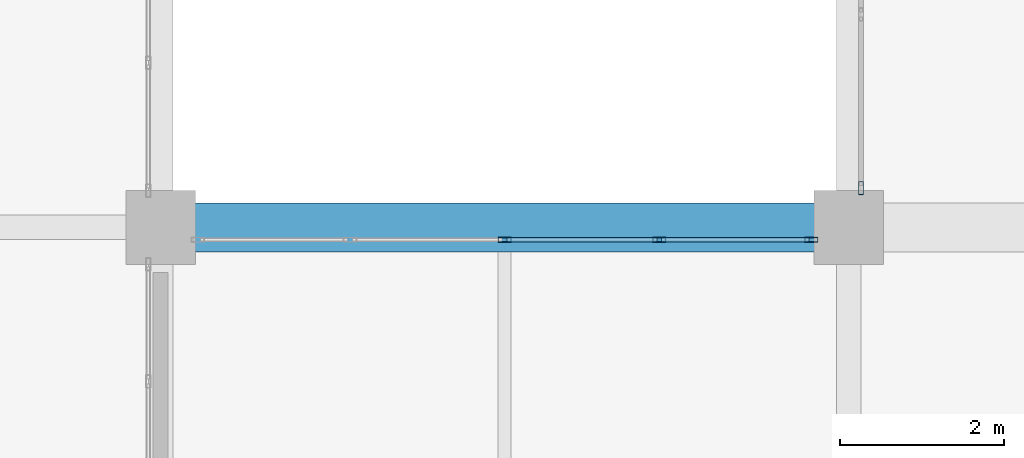
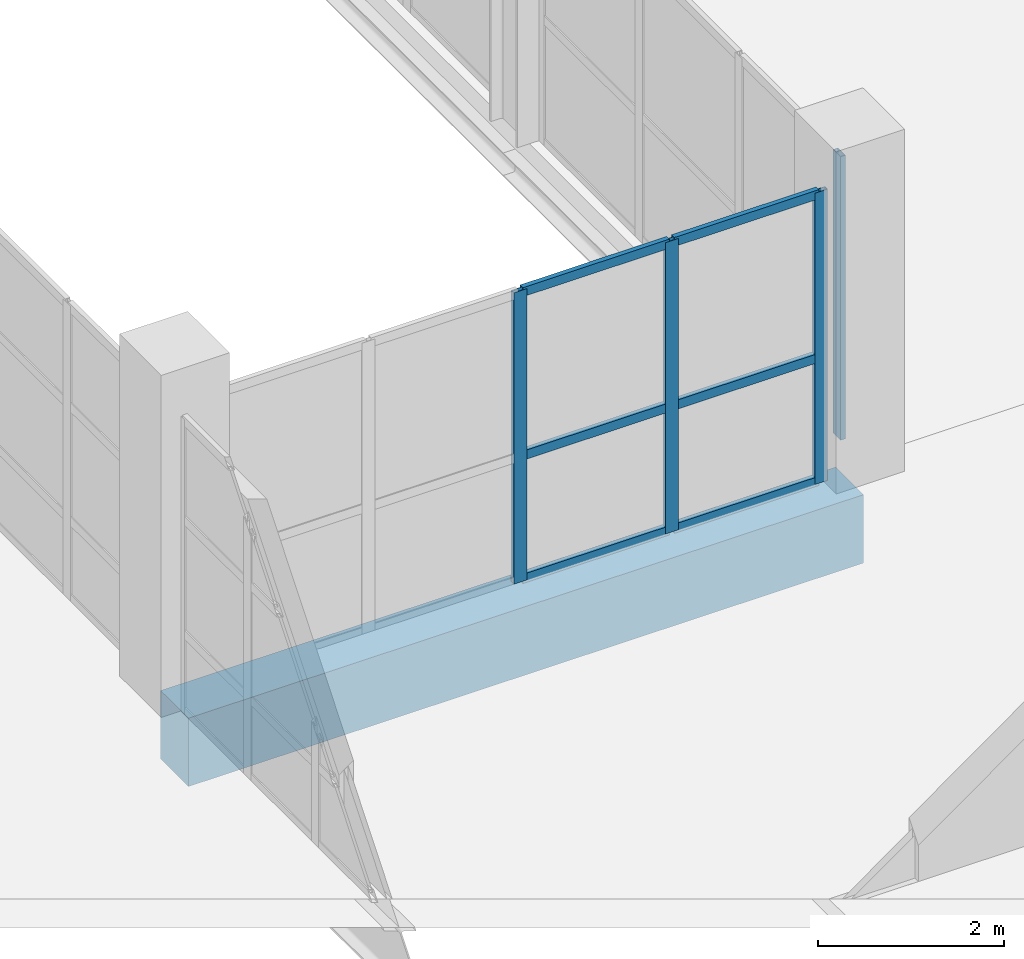
# One storey, part 25 of 109: 10 members, 1 beam, 2 elements without a shape of their own.
"""IFC4 building model written with IfcOpenShell, lengths in metres."""

from ifc_helpers import new_model, si_unit, direction, frame, origin, origin_2d, place, context, subcontext, project, spatial, rectangle, hollow_rectangle, extrude, material, material_profile, profile_set, type_object, element, aggregate, save


model = new_model("IFC4")

# Units and contexts
model_context = context("Model", 3, precision=1e-05, world=origin(), true_north=direction((0.0, 1.0)))
body_context = subcontext(model_context, "Body", "Model", "MODEL_VIEW")
ifc_project = project(units=[si_unit("LENGTHUNIT", "METRE"), si_unit("AREAUNIT", "SQUARE_METRE"), si_unit("VOLUMEUNIT", "CUBIC_METRE"), si_unit("PLANEANGLEUNIT", "RADIAN"), si_unit("MASSUNIT", "GRAM", prefix="KILO")], contexts=[model_context])

# Site, building, storey
site_placement = place(None, origin())
site = spatial("IfcSite", under=ifc_project, at=site_placement, CompositionType="ELEMENT")
building_placement = place(site_placement, origin())
building = spatial("IfcBuilding", under=site, at=building_placement, Name="Veltarok Museum of Natural Sciences", CompositionType="ELEMENT")
storey_placement = place(building_placement, frame((0.0, 0.0, 17.39990234375)))
storey = spatial("IfcBuildingStorey", under=building, at=storey_placement, Name="L03", CompositionType="ELEMENT", Elevation=17.39990234375)

# Curtain wall, members
ifc_material_1 = material(Name="Low-iron triple insulated glass", Category="glass")
curtain_wall_type_1 = type_object("IfcCurtainWallType", Name="Curtain Wall System CW-V1CNW-L03-1-755x383 (CW-V1CNW L03 755x383cm)", PredefinedType="NOTDEFINED", material=ifc_material_1)
curtain_wall_1_placement = place(storey_placement, origin())
curtain_wall_1 = element("IfcCurtainWall", 1, at=curtain_wall_1_placement, inside=storey, type_object=curtain_wall_type_1, Name="Curtain Wall CW-V1CNW-L03-1-755x383 CW-0161", PredefinedType="NOTDEFINED")
ifc_material_2 = material(Name="Thermally broken anodised aluminium", Category="aluminium")
ifc_material_profile_1 = material_profile(ifc_material_2, hollow_rectangle(XDim=0.06005859375, YDim=0.1201171875, WallThickness=0.0048828125, at=origin_2d()), Name="CW TRANSOM 60x120x5")
ifc_profile_set_1 = profile_set([ifc_material_profile_1], Name="Thermally broken anodised aluminium")
member_type_1 = type_object("IfcMemberType", Name="Curtain Wall Horizontal Transom 60x120x5", PredefinedType="USERDEFINED", material=ifc_profile_set_1)
member_1_placement = place(storey_placement, frame((39.514892578125, 19.050048828125, 0.028076171875), z_axis=(-1.0, 0.0, 0.0), x_axis=(0.0, -1.0, 0.0)))
member_1 = element("IfcMember", 2, at=member_1_placement, type_object=member_type_1, Name="CW-V1CNW-L03-1-755x383 transom 1.1", ObjectType="TRANSOM", PredefinedType="USERDEFINED", context=body_context, shape_type="SweptSolid", body=[
    extrude(hollow_rectangle(XDim=0.06005859375, YDim=0.1201171875, WallThickness=0.0048828125, at=origin_2d()), origin(), (0.0, 0.0, 1.0), 1.79736328125),
])
member_2_placement = place(storey_placement, frame((39.514892578125, 19.050048828125, 1.648193359375), z_axis=(-1.0, 0.0, 0.0), x_axis=(0.0, -1.0, 0.0)))
member_2 = element("IfcMember", 3, at=member_2_placement, type_object=member_type_1, Name="CW-V1CNW-L03-1-755x383 transom 1.2", ObjectType="TRANSOM", PredefinedType="USERDEFINED", context=body_context, shape_type="SweptSolid", body=[
    extrude(hollow_rectangle(XDim=0.06005859375, YDim=0.1201171875, WallThickness=0.0048828125, at=origin_2d()), origin(), (0.0, 0.0, 1.0), 1.79736328125),
])
member_3_placement = place(storey_placement, frame((39.514892578125, 19.050048828125, 3.800048828125), z_axis=(-1.0, 0.0, 0.0), x_axis=(0.0, -1.0, 0.0)))
member_3 = element("IfcMember", 4, at=member_3_placement, type_object=member_type_1, Name="CW-V1CNW-L03-1-755x383 transom 1.3", ObjectType="TRANSOM", PredefinedType="USERDEFINED", context=body_context, shape_type="SweptSolid", body=[
    extrude(hollow_rectangle(XDim=0.06005859375, YDim=0.1201171875, WallThickness=0.0048828125, at=origin_2d()), origin(), (0.0, 0.0, 1.0), 1.79736328125),
])
member_4_placement = place(storey_placement, frame((37.657470703125, 19.050048828125, 0.028076171875), z_axis=(-1.0, 0.0, 0.0), x_axis=(0.0, -1.0, 0.0)))
member_4 = element("IfcMember", 5, at=member_4_placement, type_object=member_type_1, Name="CW-V1CNW-L03-1-755x383 transom 2.1", ObjectType="TRANSOM", PredefinedType="USERDEFINED", context=body_context, shape_type="SweptSolid", body=[
    extrude(hollow_rectangle(XDim=0.06005859375, YDim=0.1201171875, WallThickness=0.0048828125, at=origin_2d()), origin(), (0.0, 0.0, 1.0), 1.827392578125),
])
member_5_placement = place(storey_placement, frame((37.657470703125, 19.050048828125, 1.648193359375), z_axis=(-1.0, 0.0, 0.0), x_axis=(0.0, -1.0, 0.0)))
member_5 = element("IfcMember", 6, at=member_5_placement, type_object=member_type_1, Name="CW-V1CNW-L03-1-755x383 transom 2.2", ObjectType="TRANSOM", PredefinedType="USERDEFINED", context=body_context, shape_type="SweptSolid", body=[
    extrude(hollow_rectangle(XDim=0.06005859375, YDim=0.1201171875, WallThickness=0.0048828125, at=origin_2d()), origin(), (0.0, 0.0, 1.0), 1.827392578125),
])
member_6_placement = place(storey_placement, frame((37.657470703125, 19.050048828125, 3.800048828125), z_axis=(-1.0, 0.0, 0.0), x_axis=(0.0, -1.0, 0.0)))
member_6 = element("IfcMember", 7, at=member_6_placement, type_object=member_type_1, Name="CW-V1CNW-L03-1-755x383 transom 2.3", ObjectType="TRANSOM", PredefinedType="USERDEFINED", context=body_context, shape_type="SweptSolid", body=[
    extrude(hollow_rectangle(XDim=0.06005859375, YDim=0.1201171875, WallThickness=0.0048828125, at=origin_2d()), origin(), (0.0, 0.0, 1.0), 1.827392578125),
])

# Curtain wall, member
curtain_wall_type_2 = type_object("IfcCurtainWallType", Name="Curtain Wall System CW-V2W-L03-3-645x373 (CW-V2W L03 645x373cm)", PredefinedType="NOTDEFINED", material=ifc_material_1)
curtain_wall_2_placement = place(storey_placement, origin())
curtain_wall_2 = element("IfcCurtainWall", 8, at=curtain_wall_2_placement, inside=storey, type_object=curtain_wall_type_2, Name="Curtain Wall CW-V2W-L03-3-645x373 CW-0143", PredefinedType="NOTDEFINED")
ifc_material_profile_2 = material_profile(ifc_material_2, hollow_rectangle(XDim=0.06005859375, YDim=0.159912109375, WallThickness=0.0048828125, at=origin_2d()), Name="CW MULLION 60x160x5")
ifc_profile_set_2 = profile_set([ifc_material_profile_2], Name="Thermally broken anodised aluminium")
member_type_2 = type_object("IfcMemberType", Name="Curtain Wall Vertical Mullion 60x160x5", PredefinedType="MULLION", material=ifc_profile_set_2)
member_7_placement = place(storey_placement, frame((40.14990234375, 19.679931640625, -0.001953125), z_axis=(0.0, 0.0, 1.0), x_axis=(-1.0, 0.0, 0.0)))
member_7 = element("IfcMember", 9, at=member_7_placement, type_object=member_type_2, Name="CW-V2W-L03-3-645x373 mullion 1", PredefinedType="MULLION", context=body_context, shape_type="SweptSolid", body=[
    extrude(hollow_rectangle(XDim=0.06005859375, YDim=0.159912109375, WallThickness=0.0048828125, at=origin_2d()), origin(), (0.0, 0.0, 1.0), 3.73193359375),
])
aggregate(curtain_wall_2, [member_7])

# Member
member_8_placement = place(storey_placement, frame((39.544921875, 19.050048828125, -0.001953125), z_axis=(0.0, 0.0, 1.0), x_axis=(0.0, -1.0, 0.0)))
member_8 = element("IfcMember", 10, at=member_8_placement, type_object=member_type_2, Name="CW-V1CNW-L03-1-755x383 mullion 1", PredefinedType="MULLION", context=body_context, shape_type="SweptSolid", body=[
    extrude(hollow_rectangle(XDim=0.06005859375, YDim=0.159912109375, WallThickness=0.0048828125, at=origin_2d()), origin(), (0.0, 0.0, 1.0), 3.83203125),
])

member_9_placement = place(storey_placement, frame((37.6875, 19.050048828125, -0.001953125), z_axis=(0.0, 0.0, 1.0), x_axis=(0.0, -1.0, 0.0)))
member_9 = element("IfcMember", 11, at=member_9_placement, type_object=member_type_2, Name="CW-V1CNW-L03-1-755x383 mullion 2", PredefinedType="MULLION", context=body_context, shape_type="SweptSolid", body=[
    extrude(hollow_rectangle(XDim=0.06005859375, YDim=0.159912109375, WallThickness=0.0048828125, at=origin_2d()), origin(), (0.0, 0.0, 1.0), 3.83203125),
])

member_10_placement = place(storey_placement, frame((35.800048828125, 19.050048828125, -0.001953125), z_axis=(0.0, 0.0, 1.0), x_axis=(0.0, -1.0, 0.0)))
member_10 = element("IfcMember", 12, at=member_10_placement, type_object=member_type_2, Name="CW-V1CNW-L03-1-755x383 mullion 3", PredefinedType="MULLION", context=body_context, shape_type="SweptSolid", body=[
    extrude(hollow_rectangle(XDim=0.06005859375, YDim=0.159912109375, WallThickness=0.0048828125, at=origin_2d()), origin(), (0.0, 0.0, 1.0), 3.83203125),
])

aggregate(curtain_wall_1, [member_8, member_9, member_10, member_1, member_2, member_3, member_4, member_5, member_6])

# Beam
ifc_material_3 = material(Name="Concrete C40/50", Category="concrete")
ifc_material_profile_3 = material_profile(ifc_material_3, rectangle(XDim=0.60009765625, YDim=0.89990234375, at=origin_2d()), Name="RC 600x900")
ifc_profile_set_3 = profile_set([ifc_material_profile_3], Name="Concrete C40/50")
beam_type = type_object("IfcBeamType", Name="Exposed Cabinet Perimeter Spandrel RC 600x900", PredefinedType="SPANDREL", material=ifc_profile_set_3)
beam_placement = place(storey_placement, frame((31.60009765625, 19.199951171875, -0.699951171875), z_axis=(1.0, 0.0, 0.0), x_axis=(0.0, 1.0, 0.0)))
element("IfcBeam", 13, at=beam_placement, inside=storey, type_object=beam_type, Name="Beam BM-SP01 L03 4-5/C", PredefinedType="SPANDREL", context=body_context, shape_type="SweptSolid", body=[
    extrude(rectangle(XDim=0.60009765625, YDim=0.89990234375, at=origin_2d()), origin(), (0.0, 0.0, 1.0), 8.39990234375),
])

save(model, "model.ifc")
